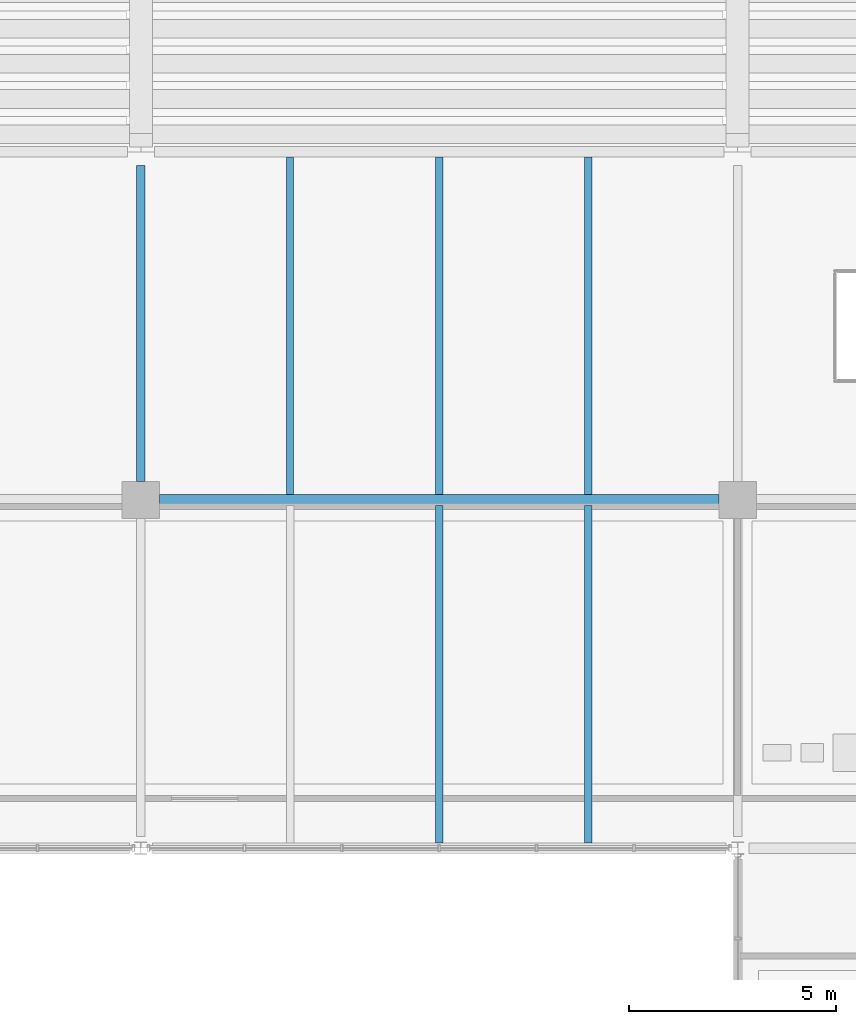
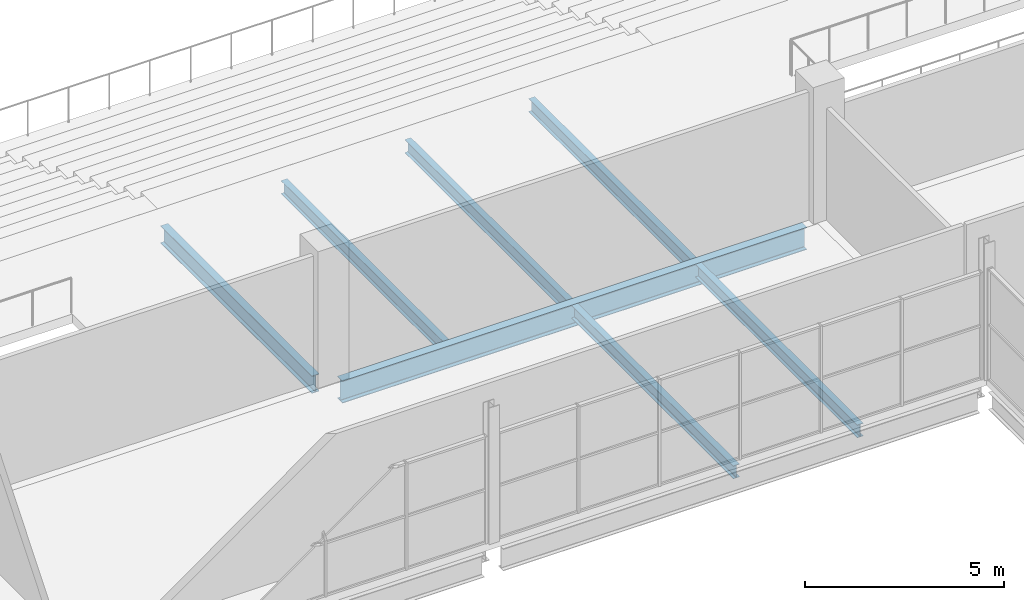
# One storey, part 37 of 161: 7 beams.
"""IFC4 building model written with IfcOpenShell, lengths in metres."""

import ifcopenshell
import ifcopenshell.guid

model = None  # the IFC model being written
_history = None  # IfcOwnerHistory: only IFC2X3 demands one
_inside = {}  # id of a spatial element -> (the spatial element, [elements in it])
_under = {}  # id of a project, library or spatial element -> (it, [spatial elements below it])
_declared = {}  # id of a project -> (the project, [libraries it declares])
_typed = {}  # id of a type object -> (the type object, [elements of that type])
_made_of = {}  # id of a material, layer set ... -> (it, [elements and type objects made of it])


def new_model(schema):
    """Start an empty IFC model of exactly this schema.

    Asked for "IFC4X3", IfcOpenShell would pick the latest addendum, in which some entities
    have other attributes; the version numbers below select the first issue.
    IFC2X3 requires an IfcOwnerHistory on every rooted entity: one is made here for all.
    """
    global model, _history
    if schema == "IFC4X3":
        model = ifcopenshell.file(schema_version=(4, 3, 0, 0))
    else:
        model = ifcopenshell.file(schema=schema)
    _inside.clear()
    _under.clear()
    _declared.clear()
    _typed.clear()
    _made_of.clear()
    _history = None
    if model.schema == "IFC2X3":
        org = make("IfcOrganization", Name="unknown")
        user = make(
            "IfcPersonAndOrganization",
            ThePerson=make("IfcPerson", FamilyName="unknown"),
            TheOrganization=org,
        )
        app = make(
            "IfcApplication",
            ApplicationDeveloper=org,
            Version="unknown",
            ApplicationFullName="unknown",
            ApplicationIdentifier="unknown",
        )
        _history = make(
            "IfcOwnerHistory",
            OwningUser=user,
            OwningApplication=app,
            ChangeAction="ADDED",
            CreationDate=0,
        )
    return model


def make(cls, **values):
    """One entity of the class cls with the attributes given. An attribute that is None is left unset."""
    return model.create_entity(
        cls, **{name: value for name, value in values.items() if value is not None}
    )


def rooted(cls, **values):
    """An entity with a GlobalId (a new one), such as an element, a storey or a relation."""
    return make(cls, GlobalId=ifcopenshell.guid.new(), OwnerHistory=_history, **values)


def si_unit(unit_type, name, prefix=None):
    """IfcSIUnit, for example si_unit("LENGTHUNIT", "METRE", prefix="MILLI")."""
    return make("IfcSIUnit", UnitType=unit_type, Prefix=prefix, Name=name)


def assignment(units):
    """IfcUnitAssignment: the units of a project."""
    return None if units is None else make("IfcUnitAssignment", Units=units)


def point(xyz):
    """IfcCartesianPoint."""
    return None if xyz is None else make("IfcCartesianPoint", Coordinates=xyz)


def direction(xyz):
    """IfcDirection."""
    return None if xyz is None else make("IfcDirection", DirectionRatios=xyz)


def frame(location, z_axis=None, x_axis=None):
    """IfcAxis2Placement3D, a coordinate frame: its origin and axes. An axis left out is left unset."""
    return make(
        "IfcAxis2Placement3D",
        Location=point(location),
        Axis=direction(z_axis),
        RefDirection=direction(x_axis),
    )


def frame_2d(location, x_axis=None):
    """IfcAxis2Placement2D, a coordinate frame in the plane: its origin and x axis."""
    return make(
        "IfcAxis2Placement2D", Location=point(location), RefDirection=direction(x_axis)
    )


def origin():
    """The frame at (0, 0, 0) with its axes left unset."""
    return frame((0.0, 0.0, 0.0))


def origin_2d():
    """The frame at (0, 0) in the plane with its x axis left unset."""
    return frame_2d((0.0, 0.0))


def place(relative_to, where):
    """IfcLocalPlacement: puts the frame where relative to a parent placement (None: the world)."""
    return make(
        "IfcLocalPlacement", PlacementRelTo=relative_to, RelativePlacement=where
    )


def context(
    kind, dimensions, precision=None, world=None, true_north=None, identifier=None
):
    """IfcGeometricRepresentationContext, for example the 3D "Model" context."""
    return make(
        "IfcGeometricRepresentationContext",
        ContextIdentifier=identifier,
        ContextType=kind,
        CoordinateSpaceDimension=dimensions,
        Precision=precision,
        WorldCoordinateSystem=world,
        TrueNorth=true_north,
    )


def subcontext(parent, identifier, kind, view, scale=None):
    """IfcGeometricRepresentationSubContext, for example "Body" below "Model"."""
    return make(
        "IfcGeometricRepresentationSubContext",
        ContextIdentifier=identifier,
        ContextType=kind,
        ParentContext=parent,
        TargetScale=scale,
        TargetView=view,
    )


def project(units=None, contexts=None):
    """IfcProject with its units and contexts."""
    return rooted(
        "IfcProject",
        Name="project",
        RepresentationContexts=contexts,
        UnitsInContext=assignment(units),
    )


def spatial(cls, under=None, at=None, **own):
    """A site, building, storey or space (cls), placed at a placement, below another one or the project."""
    s = rooted(cls, ObjectPlacement=at, **own)
    if under is not None:
        _under.setdefault(under.id(), (under, []))[1].append(s)
    return s


def profile(cls, at=None, kind="AREA", **sizes):
    """A parametric profile (cls). Its sizes go by their IFC names, for example OverallWidth=200.0."""
    return make(cls, ProfileType=kind, Position=at, **sizes)


def i_section(**sizes):
    """IfcIShapeProfileDef."""
    return profile("IfcIShapeProfileDef", **sizes)


def extrude(swept, where, along, depth):
    """IfcExtrudedAreaSolid: the profile swept, set in the frame where, extruded along a direction by depth."""
    return make(
        "IfcExtrudedAreaSolid",
        SweptArea=swept,
        Position=where,
        ExtrudedDirection=direction(along),
        Depth=depth,
    )


def shape(context_of_items, identifier, shape_type, items):
    """IfcShapeRepresentation: the items that make up one representation, for example the "Body"."""
    return make(
        "IfcShapeRepresentation",
        ContextOfItems=context_of_items,
        RepresentationIdentifier=identifier,
        RepresentationType=shape_type,
        Items=items,
    )


def material(Name=None, Category=None):
    """IfcMaterial."""
    return make("IfcMaterial", Name=Name, Category=Category)


def material_profile(
    of_material, cross_section, Name=None, Category=None, Priority=None
):
    """IfcMaterialProfile: a cross section and its material."""
    return make(
        "IfcMaterialProfile",
        Name=Name,
        Material=of_material,
        Profile=cross_section,
        Priority=Priority,
        Category=Category,
    )


def profile_set(profiles, Name=None, composite=None):
    """IfcMaterialProfileSet."""
    return make(
        "IfcMaterialProfileSet",
        Name=Name,
        MaterialProfiles=profiles,
        CompositeProfile=composite,
    )


def made_of(thing, what):
    """Note that an element or type object is made of a material, layer set ...; save() writes the relation."""
    if what is not None:
        _made_of.setdefault(what.id(), (what, []))[1].append(thing)
    return thing


def type_object(cls, material=None, **own):
    """A type object (cls), such as IfcWallType, which elements share."""
    return made_of(rooted(cls, **own), material)


def element(
    cls,
    number,
    at=None,
    inside=None,
    cuts=None,
    type_object=None,
    material=None,
    context=None,
    identifier="Body",
    shape_type=None,
    held_by="IfcProductDefinitionShape",
    body=None,
    shapes=None,
    **own,
):
    """One element of the class cls, such as IfcWall. Its Tag is "e" and its number.

    at: its placement. inside: the storey or other place that contains it. cuts: it is an
    opening in that element (IfcRelVoidsElement). A single representation is given by context,
    identifier, shape_type and body (its items); several are given by shapes. held_by: the class
    of the entity that holds the representations. save() writes the other relations.
    """
    e = rooted(cls, Tag="e%d" % number, ObjectPlacement=at, **own)
    if body is not None:
        shapes = [shape(context, identifier, shape_type, body)]
    if shapes is not None:
        e.Representation = make(held_by, Representations=shapes)
    if inside is not None:
        _inside.setdefault(inside.id(), (inside, []))[1].append(e)
    if cuts is not None:
        rooted(
            "IfcRelVoidsElement", RelatingBuildingElement=cuts, RelatedOpeningElement=e
        )
    if type_object is not None:
        _typed.setdefault(type_object.id(), (type_object, []))[1].append(e)
    return made_of(e, material)


def aggregate(whole, parts):
    """IfcRelAggregates: a whole, such as a stair, and the parts it consists of."""
    return rooted("IfcRelAggregates", RelatingObject=whole, RelatedObjects=parts)


def save(model, path):
    """Write the relations noted so far, then the file.

    IfcRelAggregates (storeys below a building ...), IfcRelContainedInSpatialStructure (elements
    in a storey), IfcRelDefinesByType, IfcRelAssociatesMaterial and IfcRelDeclares: one each for
    every whole, place, type object, material and project.
    """
    for whole, parts in _under.values():
        aggregate(whole, parts)
    for where, things in _inside.values():
        rooted(
            "IfcRelContainedInSpatialStructure",
            RelatedElements=things,
            RelatingStructure=where,
        )
    for kind, things in _typed.values():
        rooted("IfcRelDefinesByType", RelatedObjects=things, RelatingType=kind)
    for what, things in _made_of.values():
        rooted("IfcRelAssociatesMaterial", RelatedObjects=things, RelatingMaterial=what)
    for by, libraries in _declared.values():
        rooted("IfcRelDeclares", RelatingContext=by, RelatedDefinitions=libraries)
    model.write(path)


model = new_model("IFC4")

# Units and contexts
model_context = context("Model", 3, precision=1e-05, world=origin(), true_north=direction((0.0, 1.0)))
body_context = subcontext(model_context, "Body", "Model", "MODEL_VIEW")
ifc_project = project(units=[si_unit("LENGTHUNIT", "METRE"), si_unit("AREAUNIT", "SQUARE_METRE"), si_unit("VOLUMEUNIT", "CUBIC_METRE"), si_unit("PLANEANGLEUNIT", "RADIAN"), si_unit("MASSUNIT", "GRAM", prefix="KILO"), si_unit("THERMODYNAMICTEMPERATUREUNIT", "KELVIN")], contexts=[model_context])

# Site, building, storey
site_placement = place(None, origin())
site = spatial("IfcSite", under=ifc_project, at=site_placement, CompositionType="ELEMENT")
building_placement = place(site_placement, origin())
building = spatial("IfcBuilding", under=site, at=building_placement, Name="Nduvali Passage Aquatics Centre", CompositionType="ELEMENT")
storey_placement = place(building_placement, frame((0.0, 0.0, 4.800048828125)))
storey = spatial("IfcBuildingStorey", under=building, at=storey_placement, Name="L01", CompositionType="ELEMENT", Elevation=4.800048828125)

# Beams
ifc_material = material(Name="Steel S355", Category="steel")
ifc_material_profile_1 = material_profile(ifc_material, i_section(OverallWidth=0.210693359375, OverallDepth=0.53955078125, WebThickness=0.01171875, FlangeThickness=0.018798828125, FilletRadius=0.0126953125, at=origin_2d()), Name="UKB 533x210x109")
ifc_profile_set_1 = profile_set([ifc_material_profile_1], Name="Steel S355")
beam_type_1 = type_object("IfcBeamType", Name="STR-BM-UKB533", PredefinedType="BEAM", material=ifc_profile_set_1)
beam_1_placement = place(storey_placement, frame((82.800048828125, 25.64990234375, -0.553955078125), z_axis=(0.0, 1.0, 0.0), x_axis=(-1.0, 0.0, 0.0)))
element("IfcBeam", 1, at=beam_1_placement, inside=storey, type_object=beam_type_1, Name="L01 Primary Y-Girder B6-0601", PredefinedType="BEAM", context=body_context, shape_type="SweptSolid", body=[
    extrude(i_section(OverallWidth=0.210693359375, OverallDepth=0.53955078125, WebThickness=0.01171875, FlangeThickness=0.018798828125, FilletRadius=0.0126953125, at=origin_2d()), origin(), (0.0, 0.0, 1.0), 7.625),
])
ifc_material_profile_2 = material_profile(ifc_material, i_section(OverallWidth=0.253662109375, OverallDepth=0.68359375, WebThickness=0.012451171875, FlangeThickness=0.01904296875, FilletRadius=0.01513671875, at=origin_2d()), Name="UKB 686x254x140")
ifc_profile_set_2 = profile_set([ifc_material_profile_2], Name="Steel S355")
beam_type_2 = type_object("IfcBeamType", Name="STR-BM-UKB686-EXT", PredefinedType="BEAM", material=ifc_profile_set_2)
beam_2_placement = place(storey_placement, frame((83.25, 25.199951171875, -0.625732421875), z_axis=(1.0, 0.0, 0.0), x_axis=(0.0, 1.0, 0.0)))
element("IfcBeam", 2, at=beam_2_placement, inside=storey, type_object=beam_type_2, Name="L01 Primary X-Girder B4E-0447", PredefinedType="BEAM", context=body_context, shape_type="SweptSolid", body=[
    extrude(i_section(OverallWidth=0.253662109375, OverallDepth=0.68359375, WebThickness=0.012451171875, FlangeThickness=0.01904296875, FilletRadius=0.01513671875, at=origin_2d()), origin(), (0.0, 0.0, 1.0), 13.5),
])
ifc_material_profile_3 = material_profile(ifc_material, i_section(OverallWidth=0.179931640625, OverallDepth=0.39990234375, WebThickness=0.008544921875, FlangeThickness=0.013427734375, FilletRadius=0.02099609375, at=origin_2d()), Name="IPE 400")
ifc_profile_set_3 = profile_set([ifc_material_profile_3], Name="Steel S355")
beam_type_3 = type_object("IfcBeamType", Name="STR-JST-IPE400", PredefinedType="JOIST", material=ifc_profile_set_3)
for number, where, z_axis, x_axis, name in (
    (3, (90.0, 16.9267578125, -0.484130859375), (0.0, 1.0, 0.0), (-1.0, 0.0, 0.0), "L01 Secondary Joist J5-0720"),
    (4, (93.60009765625, 16.9267578125, -0.484130859375), (0.0, 1.0, 0.0), (-1.0, 0.0, 0.0), "L01 Secondary Joist J5-0721"),
):
    element("IfcBeam", number, at=place(storey_placement, frame(where, z_axis=z_axis, x_axis=x_axis)), inside=storey, type_object=beam_type_3, Name=name, PredefinedType="JOIST", context=body_context, shape_type="SweptSolid", body=[
        extrude(i_section(OverallWidth=0.179931640625, OverallDepth=0.39990234375, WebThickness=0.008544921875, FlangeThickness=0.013427734375, FilletRadius=0.02099609375, at=origin_2d()), origin(), (0.0, 0.0, 1.0), 8.146484375),
    ])
ifc_material_profile_4 = material_profile(ifc_material, i_section(OverallWidth=0.1787109375, OverallDepth=0.409423828125, WebThickness=0.0087890625, FlangeThickness=0.014404296875, FilletRadius=0.01025390625, at=origin_2d()), Name="UKB 406x178x67")
ifc_profile_set_4 = profile_set([ifc_material_profile_4], Name="Steel S355")
beam_type_4 = type_object("IfcBeamType", Name="STR-JST-UKB406", PredefinedType="JOIST", material=ifc_profile_set_4)
for number, where, z_axis, x_axis, name in (
    (5, (86.39990234375, 25.326904296875, -0.48876953125), (0.0, 1.0, 0.0), (-1.0, 0.0, 0.0), "L01 Secondary Joist J1-0734"),
    (6, (90.0, 25.326904296875, -0.48876953125), (0.0, 1.0, 0.0), (-1.0, 0.0, 0.0), "L01 Secondary Joist J1-0735"),
    (7, (93.60009765625, 25.326904296875, -0.48876953125), (0.0, 1.0, 0.0), (-1.0, 0.0, 0.0), "L01 Secondary Joist J1-0736"),
):
    element("IfcBeam", number, at=place(storey_placement, frame(where, z_axis=z_axis, x_axis=x_axis)), inside=storey, type_object=beam_type_4, Name=name, PredefinedType="JOIST", context=body_context, shape_type="SweptSolid", body=[
        extrude(i_section(OverallWidth=0.1787109375, OverallDepth=0.409423828125, WebThickness=0.0087890625, FlangeThickness=0.014404296875, FilletRadius=0.01025390625, at=origin_2d()), origin(), (0.0, 0.0, 1.0), 8.146240234375),
    ])

save(model, "model.ifc")
